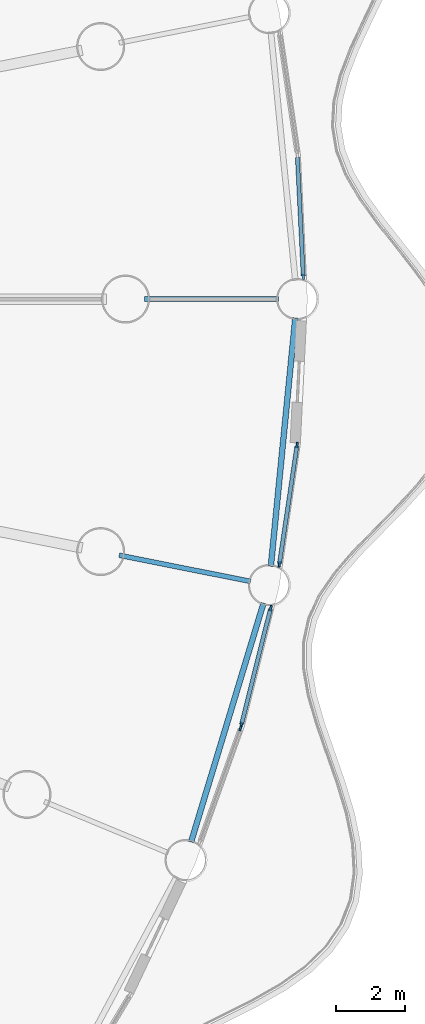
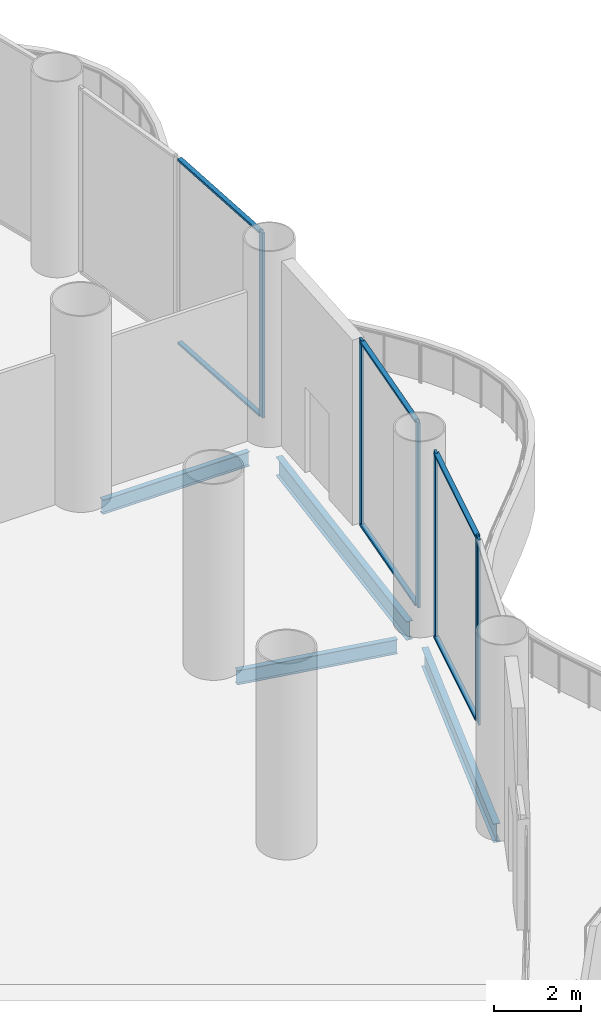
# One storey, part 13 of 37: 12 members, 4 beams, 4 elements without a shape of their own.
"""IFC4 building model written with IfcOpenShell, lengths in metres."""

import ifcopenshell
import ifcopenshell.guid

model = None  # the IFC model being written
_history = None  # IfcOwnerHistory: only IFC2X3 demands one
_inside = {}  # id of a spatial element -> (the spatial element, [elements in it])
_under = {}  # id of a project, library or spatial element -> (it, [spatial elements below it])
_declared = {}  # id of a project -> (the project, [libraries it declares])
_typed = {}  # id of a type object -> (the type object, [elements of that type])
_made_of = {}  # id of a material, layer set ... -> (it, [elements and type objects made of it])


def new_model(schema):
    """Start an empty IFC model of exactly this schema.

    Asked for "IFC4X3", IfcOpenShell would pick the latest addendum, in which some entities
    have other attributes; the version numbers below select the first issue.
    IFC2X3 requires an IfcOwnerHistory on every rooted entity: one is made here for all.
    """
    global model, _history
    if schema == "IFC4X3":
        model = ifcopenshell.file(schema_version=(4, 3, 0, 0))
    else:
        model = ifcopenshell.file(schema=schema)
    _inside.clear()
    _under.clear()
    _declared.clear()
    _typed.clear()
    _made_of.clear()
    _history = None
    if model.schema == "IFC2X3":
        org = make("IfcOrganization", Name="unknown")
        user = make(
            "IfcPersonAndOrganization",
            ThePerson=make("IfcPerson", FamilyName="unknown"),
            TheOrganization=org,
        )
        app = make(
            "IfcApplication",
            ApplicationDeveloper=org,
            Version="unknown",
            ApplicationFullName="unknown",
            ApplicationIdentifier="unknown",
        )
        _history = make(
            "IfcOwnerHistory",
            OwningUser=user,
            OwningApplication=app,
            ChangeAction="ADDED",
            CreationDate=0,
        )
    return model


def make(cls, **values):
    """One entity of the class cls with the attributes given. An attribute that is None is left unset."""
    return model.create_entity(
        cls, **{name: value for name, value in values.items() if value is not None}
    )


def rooted(cls, **values):
    """An entity with a GlobalId (a new one), such as an element, a storey or a relation."""
    return make(cls, GlobalId=ifcopenshell.guid.new(), OwnerHistory=_history, **values)


def si_unit(unit_type, name, prefix=None):
    """IfcSIUnit, for example si_unit("LENGTHUNIT", "METRE", prefix="MILLI")."""
    return make("IfcSIUnit", UnitType=unit_type, Prefix=prefix, Name=name)


def assignment(units):
    """IfcUnitAssignment: the units of a project."""
    return None if units is None else make("IfcUnitAssignment", Units=units)


def point(xyz):
    """IfcCartesianPoint."""
    return None if xyz is None else make("IfcCartesianPoint", Coordinates=xyz)


def direction(xyz):
    """IfcDirection."""
    return None if xyz is None else make("IfcDirection", DirectionRatios=xyz)


def frame(location, z_axis=None, x_axis=None):
    """IfcAxis2Placement3D, a coordinate frame: its origin and axes. An axis left out is left unset."""
    return make(
        "IfcAxis2Placement3D",
        Location=point(location),
        Axis=direction(z_axis),
        RefDirection=direction(x_axis),
    )


def frame_2d(location, x_axis=None):
    """IfcAxis2Placement2D, a coordinate frame in the plane: its origin and x axis."""
    return make(
        "IfcAxis2Placement2D", Location=point(location), RefDirection=direction(x_axis)
    )


def origin():
    """The frame at (0, 0, 0) with its axes left unset."""
    return frame((0.0, 0.0, 0.0))


def origin_2d():
    """The frame at (0, 0) in the plane with its x axis left unset."""
    return frame_2d((0.0, 0.0))


def place(relative_to, where):
    """IfcLocalPlacement: puts the frame where relative to a parent placement (None: the world)."""
    return make(
        "IfcLocalPlacement", PlacementRelTo=relative_to, RelativePlacement=where
    )


def context(
    kind, dimensions, precision=None, world=None, true_north=None, identifier=None
):
    """IfcGeometricRepresentationContext, for example the 3D "Model" context."""
    return make(
        "IfcGeometricRepresentationContext",
        ContextIdentifier=identifier,
        ContextType=kind,
        CoordinateSpaceDimension=dimensions,
        Precision=precision,
        WorldCoordinateSystem=world,
        TrueNorth=true_north,
    )


def subcontext(parent, identifier, kind, view, scale=None):
    """IfcGeometricRepresentationSubContext, for example "Body" below "Model"."""
    return make(
        "IfcGeometricRepresentationSubContext",
        ContextIdentifier=identifier,
        ContextType=kind,
        ParentContext=parent,
        TargetScale=scale,
        TargetView=view,
    )


def project(units=None, contexts=None):
    """IfcProject with its units and contexts."""
    return rooted(
        "IfcProject",
        Name="project",
        RepresentationContexts=contexts,
        UnitsInContext=assignment(units),
    )


def spatial(cls, under=None, at=None, **own):
    """A site, building, storey or space (cls), placed at a placement, below another one or the project."""
    s = rooted(cls, ObjectPlacement=at, **own)
    if under is not None:
        _under.setdefault(under.id(), (under, []))[1].append(s)
    return s


def profile(cls, at=None, kind="AREA", **sizes):
    """A parametric profile (cls). Its sizes go by their IFC names, for example OverallWidth=200.0."""
    return make(cls, ProfileType=kind, Position=at, **sizes)


def rectangle(**sizes):
    """IfcRectangleProfileDef."""
    return profile("IfcRectangleProfileDef", **sizes)


def i_section(**sizes):
    """IfcIShapeProfileDef."""
    return profile("IfcIShapeProfileDef", **sizes)


def extrude(swept, where, along, depth):
    """IfcExtrudedAreaSolid: the profile swept, set in the frame where, extruded along a direction by depth."""
    return make(
        "IfcExtrudedAreaSolid",
        SweptArea=swept,
        Position=where,
        ExtrudedDirection=direction(along),
        Depth=depth,
    )


def shape(context_of_items, identifier, shape_type, items):
    """IfcShapeRepresentation: the items that make up one representation, for example the "Body"."""
    return make(
        "IfcShapeRepresentation",
        ContextOfItems=context_of_items,
        RepresentationIdentifier=identifier,
        RepresentationType=shape_type,
        Items=items,
    )


def material(Name=None, Category=None):
    """IfcMaterial."""
    return make("IfcMaterial", Name=Name, Category=Category)


def material_profile(
    of_material, cross_section, Name=None, Category=None, Priority=None
):
    """IfcMaterialProfile: a cross section and its material."""
    return make(
        "IfcMaterialProfile",
        Name=Name,
        Material=of_material,
        Profile=cross_section,
        Priority=Priority,
        Category=Category,
    )


def profile_set(profiles, Name=None, composite=None):
    """IfcMaterialProfileSet."""
    return make(
        "IfcMaterialProfileSet",
        Name=Name,
        MaterialProfiles=profiles,
        CompositeProfile=composite,
    )


def made_of(thing, what):
    """Note that an element or type object is made of a material, layer set ...; save() writes the relation."""
    if what is not None:
        _made_of.setdefault(what.id(), (what, []))[1].append(thing)
    return thing


def type_object(cls, material=None, **own):
    """A type object (cls), such as IfcWallType, which elements share."""
    return made_of(rooted(cls, **own), material)


def element(
    cls,
    number,
    at=None,
    inside=None,
    cuts=None,
    type_object=None,
    material=None,
    context=None,
    identifier="Body",
    shape_type=None,
    held_by="IfcProductDefinitionShape",
    body=None,
    shapes=None,
    **own,
):
    """One element of the class cls, such as IfcWall. Its Tag is "e" and its number.

    at: its placement. inside: the storey or other place that contains it. cuts: it is an
    opening in that element (IfcRelVoidsElement). A single representation is given by context,
    identifier, shape_type and body (its items); several are given by shapes. held_by: the class
    of the entity that holds the representations. save() writes the other relations.
    """
    e = rooted(cls, Tag="e%d" % number, ObjectPlacement=at, **own)
    if body is not None:
        shapes = [shape(context, identifier, shape_type, body)]
    if shapes is not None:
        e.Representation = make(held_by, Representations=shapes)
    if inside is not None:
        _inside.setdefault(inside.id(), (inside, []))[1].append(e)
    if cuts is not None:
        rooted(
            "IfcRelVoidsElement", RelatingBuildingElement=cuts, RelatedOpeningElement=e
        )
    if type_object is not None:
        _typed.setdefault(type_object.id(), (type_object, []))[1].append(e)
    return made_of(e, material)


def aggregate(whole, parts):
    """IfcRelAggregates: a whole, such as a stair, and the parts it consists of."""
    return rooted("IfcRelAggregates", RelatingObject=whole, RelatedObjects=parts)


def save(model, path):
    """Write the relations noted so far, then the file.

    IfcRelAggregates (storeys below a building ...), IfcRelContainedInSpatialStructure (elements
    in a storey), IfcRelDefinesByType, IfcRelAssociatesMaterial and IfcRelDeclares: one each for
    every whole, place, type object, material and project.
    """
    for whole, parts in _under.values():
        aggregate(whole, parts)
    for where, things in _inside.values():
        rooted(
            "IfcRelContainedInSpatialStructure",
            RelatedElements=things,
            RelatingStructure=where,
        )
    for kind, things in _typed.values():
        rooted("IfcRelDefinesByType", RelatedObjects=things, RelatingType=kind)
    for what, things in _made_of.values():
        rooted("IfcRelAssociatesMaterial", RelatedObjects=things, RelatingMaterial=what)
    for by, libraries in _declared.values():
        rooted("IfcRelDeclares", RelatingContext=by, RelatedDefinitions=libraries)
    model.write(path)


model = new_model("IFC4")

# Units and contexts
model_context = context("Model", 3, precision=1e-05, world=origin(), true_north=direction((0.0, 1.0)))
body_context = subcontext(model_context, "Body", "Model", "MODEL_VIEW")
ifc_project = project(units=[si_unit("LENGTHUNIT", "METRE"), si_unit("AREAUNIT", "SQUARE_METRE"), si_unit("VOLUMEUNIT", "CUBIC_METRE"), si_unit("PLANEANGLEUNIT", "RADIAN"), si_unit("MASSUNIT", "GRAM", prefix="KILO")], contexts=[model_context])

# Site, building, storey
site_placement = place(None, origin())
site = spatial("IfcSite", under=ifc_project, at=site_placement, CompositionType="ELEMENT")
building_placement = place(site_placement, origin())
building = spatial("IfcBuilding", under=site, at=building_placement, Name="Corvane Civic Tower", CompositionType="ELEMENT")
storey_placement = place(building_placement, frame((0.0, 0.0, 11.5)))
storey = spatial("IfcBuildingStorey", under=building, at=storey_placement, Name="L02", CompositionType="ELEMENT", Elevation=11.5)

# Beams
ifc_material_1 = material(Name="Steel ASTM A992 Gr 50", Category="steel")
ifc_material_profile_1 = material_profile(ifc_material_1, i_section(OverallWidth=0.165771484375, OverallDepth=0.5283203125, WebThickness=0.009765625, FlangeThickness=0.013671875, at=origin_2d()), Name="W21X50")
ifc_profile_set_1 = profile_set([ifc_material_profile_1], Name="Steel ASTM A992 Gr 50")
beam_type_1 = type_object("IfcBeamType", Name="EDGE BEAM W21X50", PredefinedType="BEAM", material=ifc_profile_set_1)
for number, where, z_axis, x_axis, name in (
    (1, (42.64599609375, -0.54736328125, -0.564208984375), (-0.097984225478, -0.995187967953, 0.0), (0.995187967953, -0.097984225478, 0.0), "BM-L02-E09"),
    (2, (41.719970703125, -8.856689453125, -0.564208984375), (-0.290291633127, -0.956938225664, 0.0), (0.956938225664, -0.290291633127, 0.0), "BM-L02-E10"),
):
    element("IfcBeam", number, at=place(storey_placement, frame(where, z_axis=z_axis, x_axis=x_axis)), inside=storey, type_object=beam_type_1, Name=name, PredefinedType="BEAM", context=body_context, shape_type="SweptSolid", body=[
        extrude(i_section(OverallWidth=0.165771484375, OverallDepth=0.5283203125, WebThickness=0.009765625, FlangeThickness=0.013671875, at=origin_2d()), origin(), (0.0, 0.0, 1.0), 7.2705078125),
    ])
ifc_material_2 = material(Name="Steel ASTM A992 Gr 50", Category="steel")
ifc_material_profile_2 = material_profile(ifc_material_2, i_section(OverallWidth=0.140380859375, OverallDepth=0.40380859375, WebThickness=0.007080078125, FlangeThickness=0.01123046875, at=origin_2d()), Name="W16X31")
ifc_profile_set_2 = profile_set([ifc_material_profile_2], Name="Steel ASTM A992 Gr 50")
beam_type_2 = type_object("IfcBeamType", Name="FLOOR GIRDER W16X31", PredefinedType="BEAM", material=ifc_profile_set_2)
for number, where, z_axis, x_axis, name in (
    (3, (38.25, 0.0, -0.501953125), (1.0, 0.0, 0.0), (0.0, 1.0, 0.0), "BM-L02-G09b"),
    (4, (37.51513671875, -7.462158203125, -0.501953125), (0.980777614264, -0.195128858343, 0.0), (0.195128858343, 0.980777614264, 0.0), "BM-L02-G10b"),
):
    element("IfcBeam", number, at=place(storey_placement, frame(where, z_axis=z_axis, x_axis=x_axis)), inside=storey, type_object=beam_type_2, Name=name, PredefinedType="BEAM", context=body_context, shape_type="SweptSolid", body=[
        extrude(i_section(OverallWidth=0.140380859375, OverallDepth=0.40380859375, WebThickness=0.007080078125, FlangeThickness=0.01123046875, at=origin_2d()), origin(), (0.0, 0.0, 1.0), 3.89990234375),
    ])

# Curtain wall, member
ifc_material_3 = material(Name="Aluminium and glass", Category="aluminium")
curtain_wall_type = type_object("IfcCurtainWallType", Name="PODIUM-CW-P-RUN", PredefinedType="NOTDEFINED", material=ifc_material_3)
curtain_wall_1_placement = place(storey_placement, origin())
curtain_wall_1 = element("IfcCurtainWall", 5, at=curtain_wall_1_placement, inside=storey, type_object=curtain_wall_type, Name="PODI run L02-drum-08B", PredefinedType="NOTDEFINED")
ifc_material_4 = material(Name="Anodised aluminium bronze", Category="aluminium")
ifc_material_profile_3 = material_profile(ifc_material_4, rectangle(XDim=0.06005859375, YDim=0.159912109375, at=origin_2d()), Name="AL 60x160")
ifc_profile_set_3 = profile_set([ifc_material_profile_3], Name="Anodised aluminium bronze")
member_type_1 = type_object("IfcMemberType", Name="PODIUM-CWP-MULLION-60x160", PredefinedType="MULLION", material=ifc_profile_set_3)
member_1_placement = place(storey_placement, frame((42.878173828125, 0.644775390625, 0.0), z_axis=(0.0, 0.0, 1.0), x_axis=(0.998796316803, 0.04905015332, 0.0)))
member_1 = element("IfcMember", 6, at=member_1_placement, type_object=member_type_1, Name="CW-P mullion 2", PredefinedType="MULLION", context=body_context, shape_type="SweptSolid", body=[
    extrude(rectangle(XDim=0.06005859375, YDim=0.159912109375, at=origin_2d()), origin(), (0.0, 0.0, 1.0), 5.199951171875),
])

# Curtain wall, members
curtain_wall_2_placement = place(storey_placement, origin())
curtain_wall_2 = element("IfcCurtainWall", 7, at=curtain_wall_2_placement, inside=storey, type_object=curtain_wall_type, Name="PODI run L02-drum-09B", PredefinedType="NOTDEFINED")
member_2_placement = place(storey_placement, frame((42.696533203125, -4.2509765625, 0.0), z_axis=(0.0, 0.0, 1.0), x_axis=(0.989178850608, -0.146714694252, 0.0)))
member_2 = element("IfcMember", 8, at=member_2_placement, type_object=member_type_1, Name="CW-P mullion 1", PredefinedType="MULLION", context=body_context, shape_type="SweptSolid", body=[
    extrude(rectangle(XDim=0.06005859375, YDim=0.159912109375, at=origin_2d()), origin(), (0.0, 0.0, 1.0), 5.199951171875),
])
member_3_placement = place(storey_placement, frame((42.18017578125, -7.732666015625, 0.0), z_axis=(0.0, 0.0, 1.0), x_axis=(0.989178850608, -0.146714694252, 0.0)))
member_3 = element("IfcMember", 9, at=member_3_placement, type_object=member_type_1, Name="CW-P mullion 2", PredefinedType="MULLION", context=body_context, shape_type="SweptSolid", body=[
    extrude(rectangle(XDim=0.06005859375, YDim=0.159912109375, at=origin_2d()), origin(), (0.0, 0.0, 1.0), 5.199951171875),
])

curtain_wall_3_placement = place(storey_placement, origin())
curtain_wall_3 = element("IfcCurtainWall", 10, at=curtain_wall_3_placement, inside=storey, type_object=curtain_wall_type, Name="PODI run L02-drum-10A", PredefinedType="NOTDEFINED")
member_4_placement = place(storey_placement, frame((41.9287109375, -8.99755859375, 0.0), z_axis=(0.0, 0.0, 1.0), x_axis=(0.970024070659, -0.243008852393, 0.0)))
member_4 = element("IfcMember", 11, at=member_4_placement, type_object=member_type_1, Name="CW-P mullion 1", PredefinedType="MULLION", context=body_context, shape_type="SweptSolid", body=[
    extrude(rectangle(XDim=0.06005859375, YDim=0.159912109375, at=origin_2d()), origin(), (0.0, 0.0, 1.0), 5.199951171875),
])
member_5_placement = place(storey_placement, frame((41.0732421875, -12.411865234375, 0.0), z_axis=(0.0, 0.0, 1.0), x_axis=(0.970024070659, -0.243008852393, 0.0)))
member_5 = element("IfcMember", 12, at=member_5_placement, type_object=member_type_1, Name="CW-P mullion 2", PredefinedType="MULLION", context=body_context, shape_type="SweptSolid", body=[
    extrude(rectangle(XDim=0.06005859375, YDim=0.159912109375, at=origin_2d()), origin(), (0.0, 0.0, 1.0), 5.199951171875),
])

# Curtain wall, member
curtain_wall_4_placement = place(storey_placement, origin())
curtain_wall_4 = element("IfcCurtainWall", 13, at=curtain_wall_4_placement, inside=storey, type_object=curtain_wall_type, Name="PODI run L02-drum-10B", PredefinedType="NOTDEFINED")
member_6_placement = place(storey_placement, frame((41.046875, -12.4990234375, 0.0), z_axis=(0.0, 0.0, 1.0), x_axis=(0.941533802561, -0.336918534123, 0.0)))
member_6 = element("IfcMember", 14, at=member_6_placement, type_object=member_type_1, Name="CW-P mullion 1", PredefinedType="MULLION", context=body_context, shape_type="SweptSolid", body=[
    extrude(rectangle(XDim=0.06005859375, YDim=0.159912109375, at=origin_2d()), origin(), (0.0, 0.0, 1.0), 5.199951171875),
])
aggregate(curtain_wall_4, [member_6])

# Member
ifc_material_5 = material(Name="Anodised aluminium bronze", Category="aluminium")
ifc_material_profile_4 = material_profile(ifc_material_5, rectangle(XDim=0.1201171875, YDim=0.06005859375, at=origin_2d()), Name="AL 120x60")
ifc_profile_set_4 = profile_set([ifc_material_profile_4], Name="Anodised aluminium bronze")
member_type_2 = type_object("IfcMemberType", Name="PODIUM-CWP-TRANSOM-60x120", PredefinedType="USERDEFINED", material=ifc_profile_set_4)
member_7_placement = place(storey_placement, frame((42.70703125, 4.130615234375, 0.030029296875), z_axis=(0.049040182301, -0.998796806423, 0.0), x_axis=(0.998796806423, 0.049040182301, 0.0)))
member_7 = element("IfcMember", 15, at=member_7_placement, type_object=member_type_2, Name="CW-P transom 1.1", ObjectType="TRANSOM", PredefinedType="USERDEFINED", context=body_context, shape_type="SweptSolid", body=[
    extrude(rectangle(XDim=0.1201171875, YDim=0.06005859375, at=origin_2d()), origin(), (0.0, 0.0, 1.0), 3.4599609375),
])

member_8_placement = place(storey_placement, frame((42.70703125, 4.130615234375, 5.169921875), z_axis=(0.049040182301, -0.998796806423, 0.0), x_axis=(0.998796806423, 0.049040182301, 0.0)))
member_8 = element("IfcMember", 16, at=member_8_placement, type_object=member_type_2, Name="CW-P transom 1.2", ObjectType="TRANSOM", PredefinedType="USERDEFINED", context=body_context, shape_type="SweptSolid", body=[
    extrude(rectangle(XDim=0.1201171875, YDim=0.06005859375, at=origin_2d()), origin(), (0.0, 0.0, 1.0), 3.4599609375),
])

aggregate(curtain_wall_1, [member_1, member_7, member_8])

member_9_placement = place(storey_placement, frame((42.692138671875, -4.28076171875, 0.030029296875), z_axis=(-0.146704660039, -0.989180338828, 0.0), x_axis=(0.989180338828, -0.146704660039, 0.0)))
member_9 = element("IfcMember", 17, at=member_9_placement, type_object=member_type_2, Name="CW-P transom 1.1", ObjectType="TRANSOM", PredefinedType="USERDEFINED", context=body_context, shape_type="SweptSolid", body=[
    extrude(rectangle(XDim=0.1201171875, YDim=0.06005859375, at=origin_2d()), origin(), (0.0, 0.0, 1.0), 3.459716796875),
])

member_10_placement = place(storey_placement, frame((42.692138671875, -4.28076171875, 5.169921875), z_axis=(-0.146704660039, -0.989180338828, 0.0), x_axis=(0.989180338828, -0.146704660039, 0.0)))
member_10 = element("IfcMember", 18, at=member_10_placement, type_object=member_type_2, Name="CW-P transom 1.2", ObjectType="TRANSOM", PredefinedType="USERDEFINED", context=body_context, shape_type="SweptSolid", body=[
    extrude(rectangle(XDim=0.1201171875, YDim=0.06005859375, at=origin_2d()), origin(), (0.0, 0.0, 1.0), 3.459716796875),
])

aggregate(curtain_wall_2, [member_2, member_3, member_9, member_10])

member_11_placement = place(storey_placement, frame((41.92138671875, -9.026611328125, 0.030029296875), z_axis=(-0.243017080124, -0.970022009425, 0.0), x_axis=(0.970022009425, -0.243017080124, 0.0)))
member_11 = element("IfcMember", 19, at=member_11_placement, type_object=member_type_2, Name="CW-P transom 1.1", ObjectType="TRANSOM", PredefinedType="USERDEFINED", context=body_context, shape_type="SweptSolid", body=[
    extrude(rectangle(XDim=0.1201171875, YDim=0.06005859375, at=origin_2d()), origin(), (0.0, 0.0, 1.0), 3.4599609375),
])

member_12_placement = place(storey_placement, frame((41.92138671875, -9.026611328125, 5.169921875), z_axis=(-0.243017080124, -0.970022009425, 0.0), x_axis=(0.970022009425, -0.243017080124, 0.0)))
member_12 = element("IfcMember", 20, at=member_12_placement, type_object=member_type_2, Name="CW-P transom 1.2", ObjectType="TRANSOM", PredefinedType="USERDEFINED", context=body_context, shape_type="SweptSolid", body=[
    extrude(rectangle(XDim=0.1201171875, YDim=0.06005859375, at=origin_2d()), origin(), (0.0, 0.0, 1.0), 3.4599609375),
])

aggregate(curtain_wall_3, [member_4, member_5, member_11, member_12])

save(model, "model.ifc")
